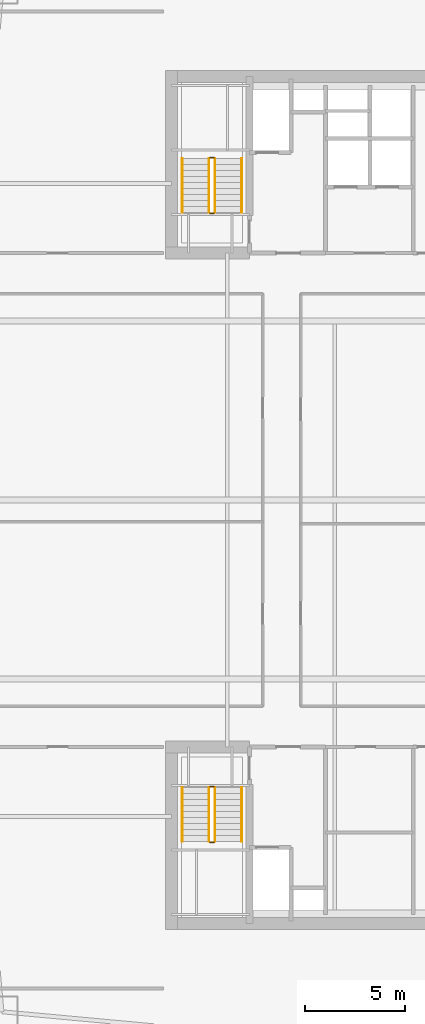
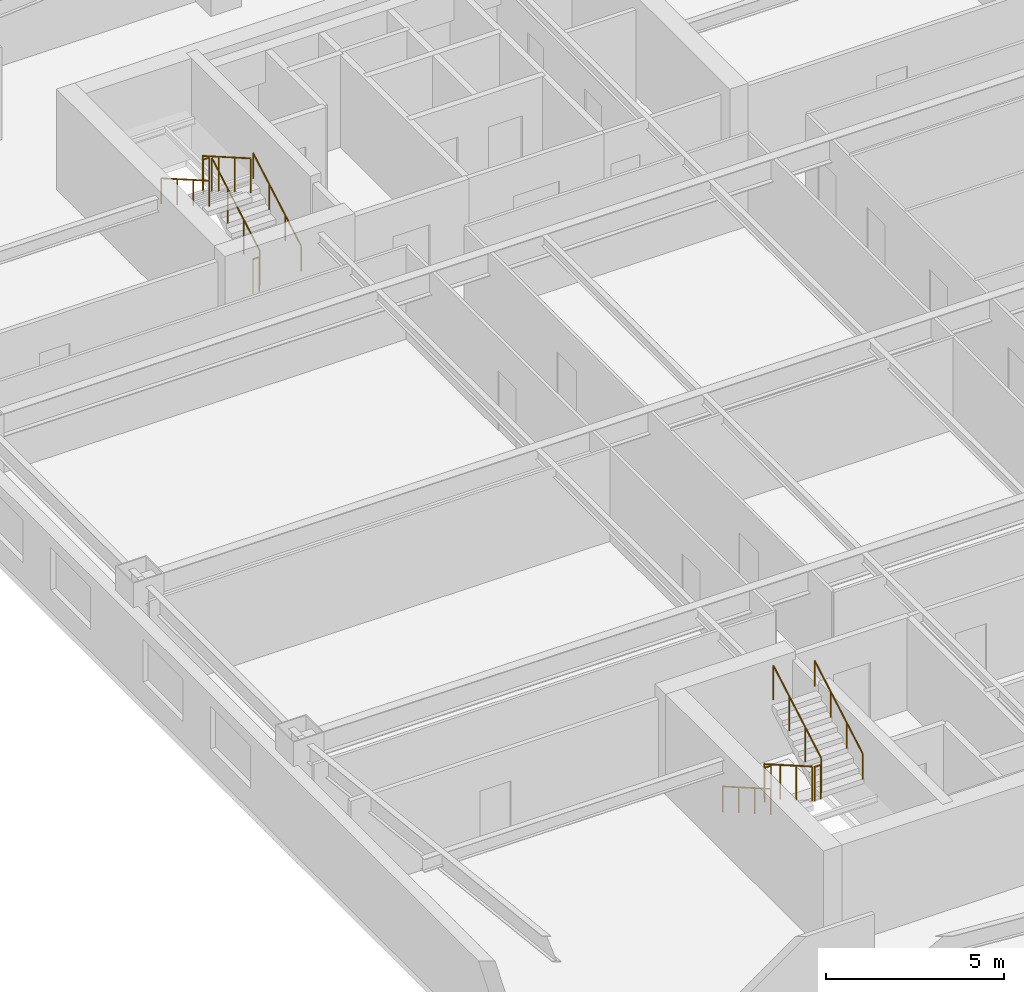
# One storey, part 9 of 10: 12 railings.
"""IFC4 building model written with IfcOpenShell, lengths in metres."""

from ifc_helpers import new_model, si_unit, direction, frame, origin, origin_2d, place, context, subcontext, project, spatial, circle, extrude, material, type_object, element, save


model = new_model("IFC4")

# Units and contexts
model_context = context("Model", 3, precision=1e-05, world=origin(), true_north=direction((0.0, 1.0)))
body_context = subcontext(model_context, "Body", "Model", "MODEL_VIEW")
ifc_project = project(units=[si_unit("LENGTHUNIT", "METRE"), si_unit("AREAUNIT", "SQUARE_METRE"), si_unit("VOLUMEUNIT", "CUBIC_METRE"), si_unit("PLANEANGLEUNIT", "RADIAN"), si_unit("MASSUNIT", "GRAM", prefix="KILO")], contexts=[model_context])

# Site, building, storey
site_placement = place(None, origin())
site = spatial("IfcSite", under=ifc_project, at=site_placement, CompositionType="ELEMENT")
building_placement = place(site_placement, origin())
building = spatial("IfcBuilding", under=site, at=building_placement, Name="Qiaolan Cultural Towers", CompositionType="ELEMENT")
storey_placement = place(building_placement, frame((0.0, 0.0, 127.64990234375)))
storey = spatial("IfcBuildingStorey", under=building, at=storey_placement, Name="L33", CompositionType="ELEMENT", Elevation=127.64990234375)

# Railings
ifc_material_1 = material(Name="Galvanized Painted Steel Stair Guardrail", Category="steel")
railing_type_1 = type_object("IfcRailingType", Name="RL-STAIR-GRD", PredefinedType="GUARDRAIL", material=ifc_material_1)
railing_1_placement = place(storey_placement, frame((23.68994140625, 19.550048828125, 0.172607421875)))
element("IfcRailing", 1, at=railing_1_placement, inside=storey, type_object=railing_type_1, Name="L33 ST-W1 stair guard 1", PredefinedType="GUARDRAIL", context=body_context, shape_type="SweptSolid", body=[
    extrude(circle(Radius=0.02392578125, at=origin_2d()), frame((0.0, 0.0, 1.17578125), z_axis=(0.0, -0.866903762492, 0.498475542607), x_axis=(1.0, 0.0, 0.0)), (0.0, 0.0, 1.0), 3.114501953125),
    extrude(circle(Radius=0.02099609375, at=origin_2d()), origin(), (0.0, 0.0, 1.0), 1.15185546875),
    extrude(circle(Radius=0.02099609375, at=origin_2d()), frame((0.0, -0.89990234375, 0.517578125)), (0.0, 0.0, 1.0), 1.15185546875),
    extrude(circle(Radius=0.02099609375, at=origin_2d()), frame((0.0, -1.800048828125, 1.034912109375)), (0.0, 0.0, 1.0), 1.15185546875),
    extrude(circle(Radius=0.02099609375, at=origin_2d()), frame((0.0, -2.699951171875, 1.552490234375)), (0.0, 0.0, 1.0), 1.15185546875),
])
railing_2_placement = place(storey_placement, frame((23.739990234375, 16.800048828125, 1.72509765625)))
element("IfcRailing", 2, at=railing_2_placement, inside=storey, type_object=railing_type_1, Name="L33 ST-W1 stair guard 2", PredefinedType="GUARDRAIL", context=body_context, shape_type="SweptSolid", body=[
    extrude(circle(Radius=0.02392578125, at=origin_2d()), frame((0.0, 0.0, 1.17578125), z_axis=(1.0, 0.0, 0.0), x_axis=(0.0, 1.0, 0.0)), (0.0, 0.0, 1.0), 0.199951171875),
    extrude(circle(Radius=0.02099609375, at=origin_2d()), origin(), (0.0, 0.0, 1.0), 1.15185546875),
    extrude(circle(Radius=0.02099609375, at=origin_2d()), frame((0.199951171875, 0.0, 0.0)), (0.0, 0.0, 1.0), 1.15185546875),
])
railing_3_placement = place(storey_placement, frame((23.989990234375, 16.85009765625, 1.897705078125)))
element("IfcRailing", 3, at=railing_3_placement, inside=storey, type_object=railing_type_1, Name="L33 ST-W1 stair guard 3", PredefinedType="GUARDRAIL", context=body_context, shape_type="SweptSolid", body=[
    extrude(circle(Radius=0.02392578125, at=origin_2d()), frame((0.0, 0.0, 1.17578125), z_axis=(0.0, 0.866903762492, 0.498475542607), x_axis=(-1.0, 0.0, 0.0)), (0.0, 0.0, 1.0), 3.114501953125),
    extrude(circle(Radius=0.02099609375, at=origin_2d()), origin(), (0.0, 0.0, 1.0), 1.15185546875),
    extrude(circle(Radius=0.02099609375, at=origin_2d()), frame((0.0, 0.89990234375, 0.517578125)), (0.0, 0.0, 1.0), 1.15185546875),
    extrude(circle(Radius=0.02099609375, at=origin_2d()), frame((0.0, 1.800048828125, 1.034912109375)), (0.0, 0.0, 1.0), 1.15185546875),
    extrude(circle(Radius=0.02099609375, at=origin_2d()), frame((0.0, 2.699951171875, 1.552490234375)), (0.0, 0.0, 1.0), 1.15185546875),
])
railing_4_placement = place(storey_placement, frame((23.739990234375, 19.60009765625, 0.0)))
element("IfcRailing", 4, at=railing_4_placement, inside=storey, type_object=railing_type_1, Name="L33 ST-W1 stair guard 4", PredefinedType="GUARDRAIL", context=body_context, shape_type="SweptSolid", body=[
    extrude(circle(Radius=0.02392578125, at=origin_2d()), frame((0.0, 0.0, 1.17578125), z_axis=(1.0, 0.0, 0.0), x_axis=(0.0, 1.0, 0.0)), (0.0, 0.0, 1.0), 0.199951171875),
    extrude(circle(Radius=0.02099609375, at=origin_2d()), origin(), (0.0, 0.0, 1.0), 1.15185546875),
    extrude(circle(Radius=0.02099609375, at=origin_2d()), frame((0.199951171875, 0.0, 0.0)), (0.0, 0.0, 1.0), 1.15185546875),
])
railing_5_placement = place(storey_placement, frame((23.989990234375, 48.449951171875, 0.172607421875)))
element("IfcRailing", 5, at=railing_5_placement, inside=storey, type_object=railing_type_1, Name="L33 ST-W2 stair guard 1", PredefinedType="GUARDRAIL", context=body_context, shape_type="SweptSolid", body=[
    extrude(circle(Radius=0.02392578125, at=origin_2d()), frame((0.0, 0.0, 1.17578125), z_axis=(0.0, 0.866903762492, 0.498475542607), x_axis=(-1.0, 0.0, 0.0)), (0.0, 0.0, 1.0), 3.114501953125),
    extrude(circle(Radius=0.02099609375, at=origin_2d()), origin(), (0.0, 0.0, 1.0), 1.15185546875),
    extrude(circle(Radius=0.02099609375, at=origin_2d()), frame((0.0, 0.89990234375, 0.517578125)), (0.0, 0.0, 1.0), 1.15185546875),
    extrude(circle(Radius=0.02099609375, at=origin_2d()), frame((0.0, 1.800048828125, 1.034912109375)), (0.0, 0.0, 1.0), 1.15185546875),
    extrude(circle(Radius=0.02099609375, at=origin_2d()), frame((0.0, 2.699951171875, 1.552490234375)), (0.0, 0.0, 1.0), 1.15185546875),
])
railing_6_placement = place(storey_placement, frame((23.93994140625, 51.199951171875, 1.72509765625)))
element("IfcRailing", 6, at=railing_6_placement, inside=storey, type_object=railing_type_1, Name="L33 ST-W2 stair guard 2", PredefinedType="GUARDRAIL", context=body_context, shape_type="SweptSolid", body=[
    extrude(circle(Radius=0.02392578125, at=origin_2d()), frame((0.0, 0.0, 1.17578125), z_axis=(-1.0, 0.0, 0.0), x_axis=(0.0, -1.0, 0.0)), (0.0, 0.0, 1.0), 0.199951171875),
    extrude(circle(Radius=0.02099609375, at=origin_2d()), origin(), (0.0, 0.0, 1.0), 1.15185546875),
    extrude(circle(Radius=0.02099609375, at=origin_2d()), frame((-0.199951171875, 0.0, 0.0)), (0.0, 0.0, 1.0), 1.15185546875),
])
railing_7_placement = place(storey_placement, frame((23.68994140625, 51.14990234375, 1.897705078125)))
element("IfcRailing", 7, at=railing_7_placement, inside=storey, type_object=railing_type_1, Name="L33 ST-W2 stair guard 3", PredefinedType="GUARDRAIL", context=body_context, shape_type="SweptSolid", body=[
    extrude(circle(Radius=0.02392578125, at=origin_2d()), frame((0.0, 0.0, 1.17578125), z_axis=(0.0, -0.866903762492, 0.498475542607), x_axis=(1.0, 0.0, 0.0)), (0.0, 0.0, 1.0), 3.114501953125),
    extrude(circle(Radius=0.02099609375, at=origin_2d()), origin(), (0.0, 0.0, 1.0), 1.15185546875),
    extrude(circle(Radius=0.02099609375, at=origin_2d()), frame((0.0, -0.89990234375, 0.517578125)), (0.0, 0.0, 1.0), 1.15185546875),
    extrude(circle(Radius=0.02099609375, at=origin_2d()), frame((0.0, -1.800048828125, 1.034912109375)), (0.0, 0.0, 1.0), 1.15185546875),
    extrude(circle(Radius=0.02099609375, at=origin_2d()), frame((0.0, -2.699951171875, 1.552490234375)), (0.0, 0.0, 1.0), 1.15185546875),
])
railing_8_placement = place(storey_placement, frame((23.93994140625, 48.39990234375, 0.0)))
element("IfcRailing", 8, at=railing_8_placement, inside=storey, type_object=railing_type_1, Name="L33 ST-W2 stair guard 4", PredefinedType="GUARDRAIL", context=body_context, shape_type="SweptSolid", body=[
    extrude(circle(Radius=0.02392578125, at=origin_2d()), frame((0.0, 0.0, 1.17578125), z_axis=(-1.0, 0.0, 0.0), x_axis=(0.0, -1.0, 0.0)), (0.0, 0.0, 1.0), 0.199951171875),
    extrude(circle(Radius=0.02099609375, at=origin_2d()), origin(), (0.0, 0.0, 1.0), 1.15185546875),
    extrude(circle(Radius=0.02099609375, at=origin_2d()), frame((-0.199951171875, 0.0, 0.0)), (0.0, 0.0, 1.0), 1.15185546875),
])
ifc_material_2 = material(Name="Stainless Steel S30408 Tubular Handrail", Category="steel")
railing_type_2 = type_object("IfcRailingType", Name="RL-STAIR-HR", PredefinedType="HANDRAIL", material=ifc_material_2)
railing_9_placement = place(storey_placement, frame((22.35009765625, 19.550048828125, 0.172607421875)))
element("IfcRailing", 9, at=railing_9_placement, inside=storey, type_object=railing_type_2, Name="L33 ST-W1 stair handrail 1", PredefinedType="HANDRAIL", context=body_context, shape_type="SweptSolid", body=[
    extrude(circle(Radius=0.02392578125, at=origin_2d()), frame((0.0, 0.0, 0.8759765625), z_axis=(0.0, -0.866903762492, 0.498475542607), x_axis=(1.0, 0.0, 0.0)), (0.0, 0.0, 1.0), 3.114501953125),
    extrude(circle(Radius=0.02099609375, at=origin_2d()), origin(), (0.0, 0.0, 1.0), 0.851806640625),
    extrude(circle(Radius=0.02099609375, at=origin_2d()), frame((0.0, -0.89990234375, 0.517578125)), (0.0, 0.0, 1.0), 0.851806640625),
    extrude(circle(Radius=0.02099609375, at=origin_2d()), frame((0.0, -1.800048828125, 1.034912109375)), (0.0, 0.0, 1.0), 0.851806640625),
    extrude(circle(Radius=0.02099609375, at=origin_2d()), frame((0.0, -2.699951171875, 1.552490234375)), (0.0, 0.0, 1.0), 0.851806640625),
])
for number, where, name in (
    (10, (25.330078125, 16.85009765625, 1.897705078125), "L33 ST-W1 stair handrail 2"),
    (11, (25.330078125, 48.449951171875, 0.172607421875), "L33 ST-W2 stair handrail 1"),
):
    element("IfcRailing", number, at=place(storey_placement, frame(where)), inside=storey, type_object=railing_type_2, Name=name, PredefinedType="HANDRAIL", context=body_context, shape_type="SweptSolid", body=[
        extrude(circle(Radius=0.02392578125, at=origin_2d()), frame((0.0, 0.0, 0.8759765625), z_axis=(0.0, 0.866903762492, 0.498475542607), x_axis=(-1.0, 0.0, 0.0)), (0.0, 0.0, 1.0), 3.114501953125),
        extrude(circle(Radius=0.02099609375, at=origin_2d()), origin(), (0.0, 0.0, 1.0), 0.851806640625),
        extrude(circle(Radius=0.02099609375, at=origin_2d()), frame((0.0, 0.89990234375, 0.517578125)), (0.0, 0.0, 1.0), 0.851806640625),
        extrude(circle(Radius=0.02099609375, at=origin_2d()), frame((0.0, 1.800048828125, 1.034912109375)), (0.0, 0.0, 1.0), 0.851806640625),
        extrude(circle(Radius=0.02099609375, at=origin_2d()), frame((0.0, 2.699951171875, 1.552490234375)), (0.0, 0.0, 1.0), 0.851806640625),
    ])
railing_10_placement = place(storey_placement, frame((22.35009765625, 51.14990234375, 1.897705078125)))
element("IfcRailing", 12, at=railing_10_placement, inside=storey, type_object=railing_type_2, Name="L33 ST-W2 stair handrail 2", PredefinedType="HANDRAIL", context=body_context, shape_type="SweptSolid", body=[
    extrude(circle(Radius=0.02392578125, at=origin_2d()), frame((0.0, 0.0, 0.8759765625), z_axis=(0.0, -0.866903762492, 0.498475542607), x_axis=(1.0, 0.0, 0.0)), (0.0, 0.0, 1.0), 3.114501953125),
    extrude(circle(Radius=0.02099609375, at=origin_2d()), origin(), (0.0, 0.0, 1.0), 0.851806640625),
    extrude(circle(Radius=0.02099609375, at=origin_2d()), frame((0.0, -0.89990234375, 0.517578125)), (0.0, 0.0, 1.0), 0.851806640625),
    extrude(circle(Radius=0.02099609375, at=origin_2d()), frame((0.0, -1.800048828125, 1.034912109375)), (0.0, 0.0, 1.0), 0.851806640625),
    extrude(circle(Radius=0.02099609375, at=origin_2d()), frame((0.0, -2.699951171875, 1.552490234375)), (0.0, 0.0, 1.0), 0.851806640625),
])

save(model, "model.ifc")
